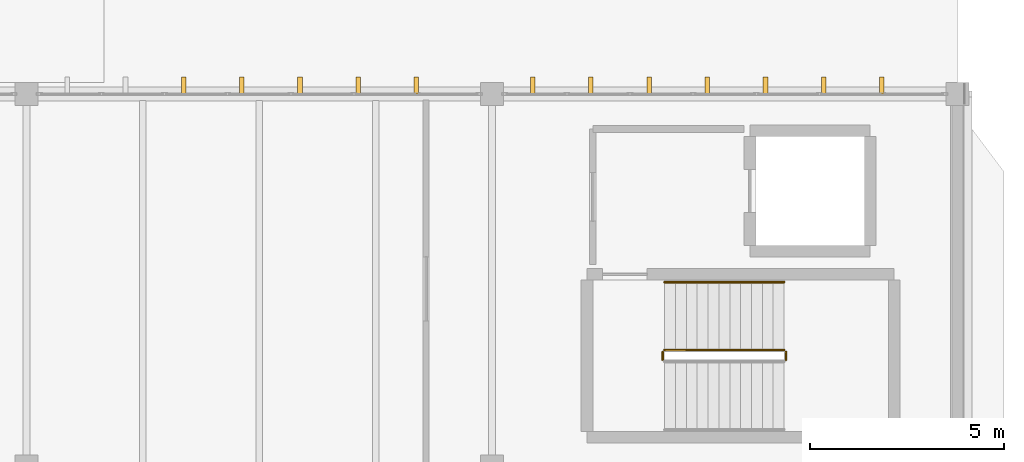
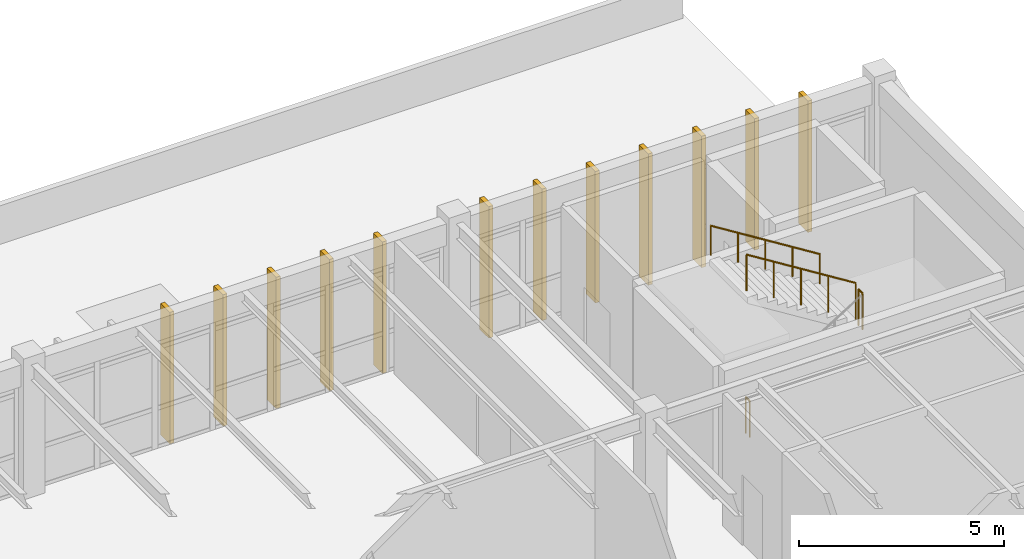
# One storey, part 37 of 37: 12 shading devices, 4 railings.
"""IFC4 building model written with IfcOpenShell, lengths in metres."""

from ifc_helpers import new_model, si_unit, direction, frame, origin, origin_2d, place, context, subcontext, project, spatial, rectangle, circle, extrude, material, type_object, element, save


model = new_model("IFC4")

# Units and contexts
model_context = context("Model", 3, precision=1e-05, world=origin(), true_north=direction((0.0, 1.0)))
body_context = subcontext(model_context, "Body", "Model", "MODEL_VIEW")
ifc_project = project(units=[si_unit("LENGTHUNIT", "METRE"), si_unit("AREAUNIT", "SQUARE_METRE"), si_unit("VOLUMEUNIT", "CUBIC_METRE"), si_unit("PLANEANGLEUNIT", "RADIAN"), si_unit("MASSUNIT", "GRAM", prefix="KILO")], contexts=[model_context])

# Site, building, storey
site_placement = place(None, origin())
site = spatial("IfcSite", under=ifc_project, at=site_placement, CompositionType="ELEMENT")
building_placement = place(site_placement, origin())
building = spatial("IfcBuilding", under=site, at=building_placement, Name="Pandanus Reach Market Hall", CompositionType="ELEMENT")
storey_placement = place(building_placement, frame((0.0, 0.0, 14.39990234375)))
storey = spatial("IfcBuildingStorey", under=building, at=storey_placement, Name="L03", CompositionType="ELEMENT", Elevation=14.39990234375)

# Shading devices
ifc_material_1 = material(Name="Precast concrete S50 (50 MPa)", Category="concrete")
shading_device_type = type_object("IfcShadingDeviceType", Name="FN-S50-450", PredefinedType="JALOUSIE", material=ifc_material_1)
for number, where, z_axis, x_axis, name in (
    (1, (160.050048828125, 77.02001953125, -0.009765625), (0.0, 0.0, 1.0), (0.0, 1.0, 0.0), "Precast brise-soleil fin 519"),
    (2, (161.550048828125, 77.02001953125, -0.009765625), (0.0, 0.0, 1.0), (0.0, 1.0, 0.0), "Precast brise-soleil fin 520"),
    (3, (163.050048828125, 77.02001953125, -0.009765625), (0.0, 0.0, 1.0), (0.0, 1.0, 0.0), "Precast brise-soleil fin 521"),
    (4, (164.550048828125, 77.02001953125, -0.009765625), (0.0, 0.0, 1.0), (0.0, 1.0, 0.0), "Precast brise-soleil fin 522"),
    (5, (166.050048828125, 77.02001953125, -0.009765625), (0.0, 0.0, 1.0), (0.0, 1.0, 0.0), "Precast brise-soleil fin 523"),
    (6, (169.050048828125, 77.02001953125, -0.009765625), (0.0, 0.0, 1.0), (0.0, 1.0, 0.0), "Precast brise-soleil fin 524"),
    (7, (170.550048828125, 77.02001953125, -0.009765625), (0.0, 0.0, 1.0), (0.0, 1.0, 0.0), "Precast brise-soleil fin 525"),
    (8, (172.050048828125, 77.02001953125, -0.009765625), (0.0, 0.0, 1.0), (0.0, 1.0, 0.0), "Precast brise-soleil fin 526"),
    (9, (173.550048828125, 77.02001953125, -0.009765625), (0.0, 0.0, 1.0), (0.0, 1.0, 0.0), "Precast brise-soleil fin 527"),
    (10, (175.050048828125, 77.02001953125, -0.009765625), (0.0, 0.0, 1.0), (0.0, 1.0, 0.0), "Precast brise-soleil fin 528"),
    (11, (176.550048828125, 77.02001953125, -0.009765625), (0.0, 0.0, 1.0), (0.0, 1.0, 0.0), "Precast brise-soleil fin 529"),
    (12, (178.050048828125, 77.02001953125, -0.009765625), (0.0, 0.0, 1.0), (0.0, 1.0, 0.0), "Precast brise-soleil fin 530"),
):
    element("IfcShadingDevice", number, at=place(storey_placement, frame(where, z_axis=z_axis, x_axis=x_axis)), inside=storey, type_object=shading_device_type, Name=name, PredefinedType="JALOUSIE", context=body_context, shape_type="SweptSolid", body=[
        extrude(rectangle(XDim=0.449951171875, YDim=0.1201171875, at=origin_2d()), origin(), (0.0, 0.0, 1.0), 3.919921875),
    ])

# Railings
ifc_material_2 = material(Name="Galvanised steel Grade 350 (350 MPa)", Category="steel")
railing_type_1 = type_object("IfcRailingType", Name="GR-INT-110", PredefinedType="GUARDRAIL", material=ifc_material_2)
railing_1_placement = place(storey_placement, frame((175.580078125, 69.949951171875, 2.10009765625)))
element("IfcRailing", 13, at=railing_1_placement, inside=storey, type_object=railing_type_1, Name="Stair guard ST-02 L03.57", PredefinedType="GUARDRAIL", context=body_context, shape_type="SweptSolid", body=[
    extrude(circle(Radius=0.02392578125, at=origin_2d()), frame((0.0, 0.0, 1.076171875), z_axis=(0.0, 1.0, 0.0), x_axis=(-1.0, 0.0, 0.0)), (0.0, 0.0, 1.0), 0.199951171875),
    extrude(circle(Radius=0.02099609375, at=origin_2d()), origin(), (0.0, 0.0, 1.0), 1.052001953125),
    extrude(circle(Radius=0.02099609375, at=origin_2d()), frame((0.0, 0.199951171875, 0.0)), (0.0, 0.0, 1.0), 1.052001953125),
])
railing_2_placement = place(storey_placement, frame((175.530029296875, 70.199951171875, 2.275146484375)))
element("IfcRailing", 14, at=railing_2_placement, inside=storey, type_object=railing_type_1, Name="Stair guard ST-02 L03.58", PredefinedType="GUARDRAIL", context=body_context, shape_type="SweptSolid", body=[
    extrude(circle(Radius=0.02392578125, at=origin_2d()), frame((0.0, 0.0, 1.076171875), z_axis=(-0.847998304005, 0.0, 0.529998940003), x_axis=(0.0, -1.0, 0.0)), (0.0, 0.0, 1.0), 3.632080078125),
    extrude(circle(Radius=0.02099609375, at=origin_2d()), origin(), (0.0, 0.0, 1.0), 1.052001953125),
    extrude(circle(Radius=0.02099609375, at=origin_2d()), frame((-0.77001953125, 0.0, 0.481201171875)), (0.0, 0.0, 1.0), 1.052001953125),
    extrude(circle(Radius=0.02099609375, at=origin_2d()), frame((-1.5400390625, 0.0, 0.96240234375)), (0.0, 0.0, 1.0), 1.052001953125),
    extrude(circle(Radius=0.02099609375, at=origin_2d()), frame((-2.31005859375, 0.0, 1.44384765625)), (0.0, 0.0, 1.0), 1.052001953125),
    extrude(circle(Radius=0.02099609375, at=origin_2d()), frame((-3.080078125, 0.0, 1.925048828125)), (0.0, 0.0, 1.0), 1.052001953125),
])
railing_3_placement = place(storey_placement, frame((172.39990234375, 69.949951171875, 0.0)))
element("IfcRailing", 15, at=railing_3_placement, inside=storey, type_object=railing_type_1, Name="Stair guard ST-02 L03.59", PredefinedType="GUARDRAIL", context=body_context, shape_type="SweptSolid", body=[
    extrude(circle(Radius=0.02392578125, at=origin_2d()), frame((0.0, 0.0, 1.076171875), z_axis=(0.0, 1.0, 0.0), x_axis=(-1.0, 0.0, 0.0)), (0.0, 0.0, 1.0), 0.199951171875),
    extrude(circle(Radius=0.02099609375, at=origin_2d()), origin(), (0.0, 0.0, 1.0), 1.052001953125),
    extrude(circle(Radius=0.02099609375, at=origin_2d()), frame((0.0, 0.199951171875, 0.0)), (0.0, 0.0, 1.0), 1.052001953125),
])
ifc_material_3 = material(Name="Brushed stainless steel", Category="steel")
railing_type_2 = type_object("IfcRailingType", Name="HR-WAL-090", PredefinedType="HANDRAIL", material=ifc_material_3)
railing_4_placement = place(storey_placement, frame((175.530029296875, 71.949951171875, 2.275146484375)))
element("IfcRailing", 16, at=railing_4_placement, inside=storey, type_object=railing_type_2, Name="Stair handrail ST-02 L03.61", PredefinedType="HANDRAIL", context=body_context, shape_type="SweptSolid", body=[
    extrude(circle(Radius=0.02392578125, at=origin_2d()), frame((0.0, 0.0, 0.8759765625), z_axis=(-0.847998304005, 0.0, 0.529998940003), x_axis=(0.0, -1.0, 0.0)), (0.0, 0.0, 1.0), 3.632080078125),
    extrude(circle(Radius=0.02099609375, at=origin_2d()), origin(), (0.0, 0.0, 1.0), 0.851806640625),
    extrude(circle(Radius=0.02099609375, at=origin_2d()), frame((-0.77001953125, 0.0, 0.481201171875)), (0.0, 0.0, 1.0), 0.851806640625),
    extrude(circle(Radius=0.02099609375, at=origin_2d()), frame((-1.5400390625, 0.0, 0.96240234375)), (0.0, 0.0, 1.0), 0.851806640625),
    extrude(circle(Radius=0.02099609375, at=origin_2d()), frame((-2.31005859375, 0.0, 1.44384765625)), (0.0, 0.0, 1.0), 0.851806640625),
    extrude(circle(Radius=0.02099609375, at=origin_2d()), frame((-3.080078125, 0.0, 1.925048828125)), (0.0, 0.0, 1.0), 0.851806640625),
])

save(model, "model.ifc")
